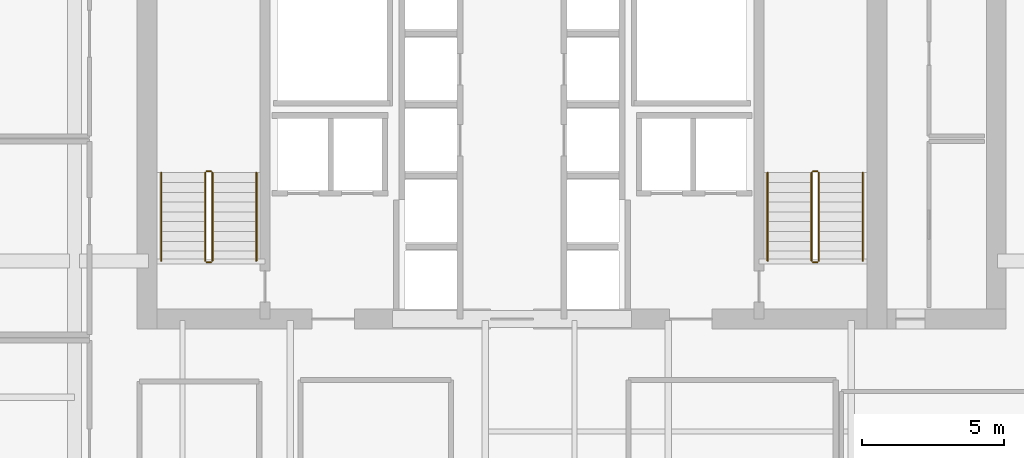
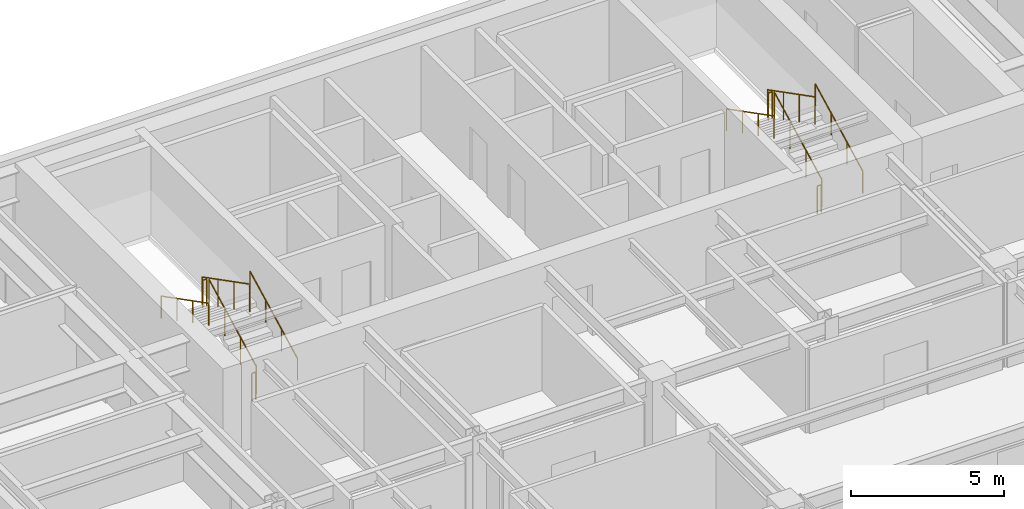
# One storey, part 17 of 17: 12 railings.
"""IFC4 building model written with IfcOpenShell, lengths in metres."""

import ifcopenshell
import ifcopenshell.guid

model = None  # the IFC model being written
_history = None  # IfcOwnerHistory: only IFC2X3 demands one
_inside = {}  # id of a spatial element -> (the spatial element, [elements in it])
_under = {}  # id of a project, library or spatial element -> (it, [spatial elements below it])
_declared = {}  # id of a project -> (the project, [libraries it declares])
_typed = {}  # id of a type object -> (the type object, [elements of that type])
_made_of = {}  # id of a material, layer set ... -> (it, [elements and type objects made of it])


def new_model(schema):
    """Start an empty IFC model of exactly this schema.

    Asked for "IFC4X3", IfcOpenShell would pick the latest addendum, in which some entities
    have other attributes; the version numbers below select the first issue.
    IFC2X3 requires an IfcOwnerHistory on every rooted entity: one is made here for all.
    """
    global model, _history
    if schema == "IFC4X3":
        model = ifcopenshell.file(schema_version=(4, 3, 0, 0))
    else:
        model = ifcopenshell.file(schema=schema)
    _inside.clear()
    _under.clear()
    _declared.clear()
    _typed.clear()
    _made_of.clear()
    _history = None
    if model.schema == "IFC2X3":
        org = make("IfcOrganization", Name="unknown")
        user = make(
            "IfcPersonAndOrganization",
            ThePerson=make("IfcPerson", FamilyName="unknown"),
            TheOrganization=org,
        )
        app = make(
            "IfcApplication",
            ApplicationDeveloper=org,
            Version="unknown",
            ApplicationFullName="unknown",
            ApplicationIdentifier="unknown",
        )
        _history = make(
            "IfcOwnerHistory",
            OwningUser=user,
            OwningApplication=app,
            ChangeAction="ADDED",
            CreationDate=0,
        )
    return model


def make(cls, **values):
    """One entity of the class cls with the attributes given. An attribute that is None is left unset."""
    return model.create_entity(
        cls, **{name: value for name, value in values.items() if value is not None}
    )


def rooted(cls, **values):
    """An entity with a GlobalId (a new one), such as an element, a storey or a relation."""
    return make(cls, GlobalId=ifcopenshell.guid.new(), OwnerHistory=_history, **values)


def si_unit(unit_type, name, prefix=None):
    """IfcSIUnit, for example si_unit("LENGTHUNIT", "METRE", prefix="MILLI")."""
    return make("IfcSIUnit", UnitType=unit_type, Prefix=prefix, Name=name)


def assignment(units):
    """IfcUnitAssignment: the units of a project."""
    return None if units is None else make("IfcUnitAssignment", Units=units)


def point(xyz):
    """IfcCartesianPoint."""
    return None if xyz is None else make("IfcCartesianPoint", Coordinates=xyz)


def direction(xyz):
    """IfcDirection."""
    return None if xyz is None else make("IfcDirection", DirectionRatios=xyz)


def frame(location, z_axis=None, x_axis=None):
    """IfcAxis2Placement3D, a coordinate frame: its origin and axes. An axis left out is left unset."""
    return make(
        "IfcAxis2Placement3D",
        Location=point(location),
        Axis=direction(z_axis),
        RefDirection=direction(x_axis),
    )


def frame_2d(location, x_axis=None):
    """IfcAxis2Placement2D, a coordinate frame in the plane: its origin and x axis."""
    return make(
        "IfcAxis2Placement2D", Location=point(location), RefDirection=direction(x_axis)
    )


def origin():
    """The frame at (0, 0, 0) with its axes left unset."""
    return frame((0.0, 0.0, 0.0))


def origin_2d():
    """The frame at (0, 0) in the plane with its x axis left unset."""
    return frame_2d((0.0, 0.0))


def place(relative_to, where):
    """IfcLocalPlacement: puts the frame where relative to a parent placement (None: the world)."""
    return make(
        "IfcLocalPlacement", PlacementRelTo=relative_to, RelativePlacement=where
    )


def context(
    kind, dimensions, precision=None, world=None, true_north=None, identifier=None
):
    """IfcGeometricRepresentationContext, for example the 3D "Model" context."""
    return make(
        "IfcGeometricRepresentationContext",
        ContextIdentifier=identifier,
        ContextType=kind,
        CoordinateSpaceDimension=dimensions,
        Precision=precision,
        WorldCoordinateSystem=world,
        TrueNorth=true_north,
    )


def subcontext(parent, identifier, kind, view, scale=None):
    """IfcGeometricRepresentationSubContext, for example "Body" below "Model"."""
    return make(
        "IfcGeometricRepresentationSubContext",
        ContextIdentifier=identifier,
        ContextType=kind,
        ParentContext=parent,
        TargetScale=scale,
        TargetView=view,
    )


def project(units=None, contexts=None):
    """IfcProject with its units and contexts."""
    return rooted(
        "IfcProject",
        Name="project",
        RepresentationContexts=contexts,
        UnitsInContext=assignment(units),
    )


def spatial(cls, under=None, at=None, **own):
    """A site, building, storey or space (cls), placed at a placement, below another one or the project."""
    s = rooted(cls, ObjectPlacement=at, **own)
    if under is not None:
        _under.setdefault(under.id(), (under, []))[1].append(s)
    return s


def profile(cls, at=None, kind="AREA", **sizes):
    """A parametric profile (cls). Its sizes go by their IFC names, for example OverallWidth=200.0."""
    return make(cls, ProfileType=kind, Position=at, **sizes)


def circle(**sizes):
    """IfcCircleProfileDef."""
    return profile("IfcCircleProfileDef", **sizes)


def extrude(swept, where, along, depth):
    """IfcExtrudedAreaSolid: the profile swept, set in the frame where, extruded along a direction by depth."""
    return make(
        "IfcExtrudedAreaSolid",
        SweptArea=swept,
        Position=where,
        ExtrudedDirection=direction(along),
        Depth=depth,
    )


def shape(context_of_items, identifier, shape_type, items):
    """IfcShapeRepresentation: the items that make up one representation, for example the "Body"."""
    return make(
        "IfcShapeRepresentation",
        ContextOfItems=context_of_items,
        RepresentationIdentifier=identifier,
        RepresentationType=shape_type,
        Items=items,
    )


def material(Name=None, Category=None):
    """IfcMaterial."""
    return make("IfcMaterial", Name=Name, Category=Category)


def made_of(thing, what):
    """Note that an element or type object is made of a material, layer set ...; save() writes the relation."""
    if what is not None:
        _made_of.setdefault(what.id(), (what, []))[1].append(thing)
    return thing


def type_object(cls, material=None, **own):
    """A type object (cls), such as IfcWallType, which elements share."""
    return made_of(rooted(cls, **own), material)


def element(
    cls,
    number,
    at=None,
    inside=None,
    cuts=None,
    type_object=None,
    material=None,
    context=None,
    identifier="Body",
    shape_type=None,
    held_by="IfcProductDefinitionShape",
    body=None,
    shapes=None,
    **own,
):
    """One element of the class cls, such as IfcWall. Its Tag is "e" and its number.

    at: its placement. inside: the storey or other place that contains it. cuts: it is an
    opening in that element (IfcRelVoidsElement). A single representation is given by context,
    identifier, shape_type and body (its items); several are given by shapes. held_by: the class
    of the entity that holds the representations. save() writes the other relations.
    """
    e = rooted(cls, Tag="e%d" % number, ObjectPlacement=at, **own)
    if body is not None:
        shapes = [shape(context, identifier, shape_type, body)]
    if shapes is not None:
        e.Representation = make(held_by, Representations=shapes)
    if inside is not None:
        _inside.setdefault(inside.id(), (inside, []))[1].append(e)
    if cuts is not None:
        rooted(
            "IfcRelVoidsElement", RelatingBuildingElement=cuts, RelatedOpeningElement=e
        )
    if type_object is not None:
        _typed.setdefault(type_object.id(), (type_object, []))[1].append(e)
    return made_of(e, material)


def aggregate(whole, parts):
    """IfcRelAggregates: a whole, such as a stair, and the parts it consists of."""
    return rooted("IfcRelAggregates", RelatingObject=whole, RelatedObjects=parts)


def save(model, path):
    """Write the relations noted so far, then the file.

    IfcRelAggregates (storeys below a building ...), IfcRelContainedInSpatialStructure (elements
    in a storey), IfcRelDefinesByType, IfcRelAssociatesMaterial and IfcRelDeclares: one each for
    every whole, place, type object, material and project.
    """
    for whole, parts in _under.values():
        aggregate(whole, parts)
    for where, things in _inside.values():
        rooted(
            "IfcRelContainedInSpatialStructure",
            RelatedElements=things,
            RelatingStructure=where,
        )
    for kind, things in _typed.values():
        rooted("IfcRelDefinesByType", RelatedObjects=things, RelatingType=kind)
    for what, things in _made_of.values():
        rooted("IfcRelAssociatesMaterial", RelatedObjects=things, RelatingMaterial=what)
    for by, libraries in _declared.values():
        rooted("IfcRelDeclares", RelatingContext=by, RelatedDefinitions=libraries)
    model.write(path)


model = new_model("IFC4")

# Units and contexts
model_context = context("Model", 3, precision=1e-05, world=origin(), true_north=direction((0.0, 1.0)))
body_context = subcontext(model_context, "Body", "Model", "MODEL_VIEW")
ifc_project = project(units=[si_unit("LENGTHUNIT", "METRE"), si_unit("AREAUNIT", "SQUARE_METRE"), si_unit("VOLUMEUNIT", "CUBIC_METRE"), si_unit("PLANEANGLEUNIT", "RADIAN"), si_unit("MASSUNIT", "GRAM", prefix="KILO")], contexts=[model_context])

# Site, building, storey
site_placement = place(None, origin())
site = spatial("IfcSite", under=ifc_project, at=site_placement, CompositionType="ELEMENT")
building_placement = place(site_placement, origin())
building = spatial("IfcBuilding", under=site, at=building_placement, Name="Tolvann Quenvar Hotel", CompositionType="ELEMENT")
storey_placement = place(building_placement, frame((0.0, 0.0, 108.0)))
storey = spatial("IfcBuildingStorey", under=building, at=storey_placement, Name="L27", CompositionType="ELEMENT", Elevation=108.0)

# Railings
ifc_material = material(Name="Brushed 316 stainless steel balustrade and handrail", Category="steel")
railing_type_1 = type_object("IfcRailingType", Name="GUARDRAIL", PredefinedType="GUARDRAIL", material=ifc_material)
railing_1_placement = place(storey_placement, frame((12.449951171875, 34.0, 0.177490234375)))
element("IfcRailing", 1, at=railing_1_placement, inside=storey, type_object=railing_type_1, Name="L27 ST-C1 stair guard 1", PredefinedType="GUARDRAIL", context=body_context, shape_type="SweptSolid", body=[
    extrude(circle(Radius=0.02392578125, at=origin_2d()), frame((0.0, 0.0, 1.09619140625), z_axis=(0.0, 0.889221982265, 0.45747597342), x_axis=(-1.0, 0.0, 0.0)), (0.0, 0.0, 1.0), 3.49169921875),
    extrude(circle(Radius=0.02099609375, at=origin_2d()), origin(), (0.0, 0.0, 1.0), 1.072021484375),
    extrude(circle(Radius=0.02099609375, at=origin_2d()), frame((0.0, 1.034912109375, 0.532470703125)), (0.0, 0.0, 1.0), 1.072021484375),
    extrude(circle(Radius=0.02099609375, at=origin_2d()), frame((0.0, 2.070068359375, 1.06494140625)), (0.0, 0.0, 1.0), 1.072021484375),
    extrude(circle(Radius=0.02099609375, at=origin_2d()), frame((0.0, 3.10498046875, 1.597412109375)), (0.0, 0.0, 1.0), 1.072021484375),
])
railing_2_placement = place(storey_placement, frame((12.39990234375, 37.155029296875, 1.77490234375)))
element("IfcRailing", 2, at=railing_2_placement, inside=storey, type_object=railing_type_1, Name="L27 ST-C1 stair guard 2", PredefinedType="GUARDRAIL", context=body_context, shape_type="SweptSolid", body=[
    extrude(circle(Radius=0.02392578125, at=origin_2d()), frame((0.0, 0.0, 1.09619140625), z_axis=(-1.0, 0.0, 0.0), x_axis=(0.0, -1.0, 0.0)), (0.0, 0.0, 1.0), 0.14990234375),
    extrude(circle(Radius=0.02099609375, at=origin_2d()), origin(), (0.0, 0.0, 1.0), 1.072021484375),
    extrude(circle(Radius=0.02099609375, at=origin_2d()), frame((-0.14990234375, 0.0, 0.0)), (0.0, 0.0, 1.0), 1.072021484375),
])
railing_3_placement = place(storey_placement, frame((12.199951171875, 37.10498046875, 1.952392578125)))
element("IfcRailing", 3, at=railing_3_placement, inside=storey, type_object=railing_type_1, Name="L27 ST-C1 stair guard 3", PredefinedType="GUARDRAIL", context=body_context, shape_type="SweptSolid", body=[
    extrude(circle(Radius=0.02392578125, at=origin_2d()), frame((0.0, 0.0, 1.09619140625), z_axis=(0.0, -0.88919353882, 0.457531256332), x_axis=(1.0, 0.0, 0.0)), (0.0, 0.0, 1.0), 3.491943359375),
    extrude(circle(Radius=0.02099609375, at=origin_2d()), origin(), (0.0, 0.0, 1.0), 1.072021484375),
    extrude(circle(Radius=0.02099609375, at=origin_2d()), frame((0.0, -1.034912109375, 0.532470703125)), (0.0, 0.0, 1.0), 1.072021484375),
    extrude(circle(Radius=0.02099609375, at=origin_2d()), frame((0.0, -2.070068359375, 1.065185546875)), (0.0, 0.0, 1.0), 1.072021484375),
    extrude(circle(Radius=0.02099609375, at=origin_2d()), frame((0.0, -3.10498046875, 1.59765625)), (0.0, 0.0, 1.0), 1.072021484375),
])
railing_4_placement = place(storey_placement, frame((12.39990234375, 33.949951171875, 0.0)))
element("IfcRailing", 4, at=railing_4_placement, inside=storey, type_object=railing_type_1, Name="L27 ST-C1 stair guard 4", PredefinedType="GUARDRAIL", context=body_context, shape_type="SweptSolid", body=[
    extrude(circle(Radius=0.02392578125, at=origin_2d()), frame((0.0, 0.0, 1.09619140625), z_axis=(-1.0, 0.0, 0.0), x_axis=(0.0, -1.0, 0.0)), (0.0, 0.0, 1.0), 0.14990234375),
    extrude(circle(Radius=0.02099609375, at=origin_2d()), origin(), (0.0, 0.0, 1.0), 1.072021484375),
    extrude(circle(Radius=0.02099609375, at=origin_2d()), frame((-0.14990234375, 0.0, 0.0)), (0.0, 0.0, 1.0), 1.072021484375),
])
railing_5_placement = place(storey_placement, frame((33.800048828125, 34.0, 0.177490234375)))
element("IfcRailing", 5, at=railing_5_placement, inside=storey, type_object=railing_type_1, Name="L27 ST-C2 stair guard 1", PredefinedType="GUARDRAIL", context=body_context, shape_type="SweptSolid", body=[
    extrude(circle(Radius=0.02392578125, at=origin_2d()), frame((0.0, 0.0, 1.09619140625), z_axis=(0.0, 0.889221982265, 0.45747597342), x_axis=(-1.0, 0.0, 0.0)), (0.0, 0.0, 1.0), 3.49169921875),
    extrude(circle(Radius=0.02099609375, at=origin_2d()), origin(), (0.0, 0.0, 1.0), 1.072021484375),
    extrude(circle(Radius=0.02099609375, at=origin_2d()), frame((0.0, 1.034912109375, 0.532470703125)), (0.0, 0.0, 1.0), 1.072021484375),
    extrude(circle(Radius=0.02099609375, at=origin_2d()), frame((0.0, 2.070068359375, 1.06494140625)), (0.0, 0.0, 1.0), 1.072021484375),
    extrude(circle(Radius=0.02099609375, at=origin_2d()), frame((0.0, 3.10498046875, 1.597412109375)), (0.0, 0.0, 1.0), 1.072021484375),
])
railing_6_placement = place(storey_placement, frame((33.75, 37.155029296875, 1.77490234375)))
element("IfcRailing", 6, at=railing_6_placement, inside=storey, type_object=railing_type_1, Name="L27 ST-C2 stair guard 2", PredefinedType="GUARDRAIL", context=body_context, shape_type="SweptSolid", body=[
    extrude(circle(Radius=0.02392578125, at=origin_2d()), frame((0.0, 0.0, 1.09619140625), z_axis=(-1.0, 0.0, 0.0), x_axis=(0.0, -1.0, 0.0)), (0.0, 0.0, 1.0), 0.14990234375),
    extrude(circle(Radius=0.02099609375, at=origin_2d()), origin(), (0.0, 0.0, 1.0), 1.072021484375),
    extrude(circle(Radius=0.02099609375, at=origin_2d()), frame((-0.14990234375, 0.0, 0.0)), (0.0, 0.0, 1.0), 1.072021484375),
])
railing_7_placement = place(storey_placement, frame((33.550048828125, 37.10498046875, 1.952392578125)))
element("IfcRailing", 7, at=railing_7_placement, inside=storey, type_object=railing_type_1, Name="L27 ST-C2 stair guard 3", PredefinedType="GUARDRAIL", context=body_context, shape_type="SweptSolid", body=[
    extrude(circle(Radius=0.02392578125, at=origin_2d()), frame((0.0, 0.0, 1.09619140625), z_axis=(0.0, -0.88919353882, 0.457531256332), x_axis=(1.0, 0.0, 0.0)), (0.0, 0.0, 1.0), 3.491943359375),
    extrude(circle(Radius=0.02099609375, at=origin_2d()), origin(), (0.0, 0.0, 1.0), 1.072021484375),
    extrude(circle(Radius=0.02099609375, at=origin_2d()), frame((0.0, -1.034912109375, 0.532470703125)), (0.0, 0.0, 1.0), 1.072021484375),
    extrude(circle(Radius=0.02099609375, at=origin_2d()), frame((0.0, -2.070068359375, 1.065185546875)), (0.0, 0.0, 1.0), 1.072021484375),
    extrude(circle(Radius=0.02099609375, at=origin_2d()), frame((0.0, -3.10498046875, 1.59765625)), (0.0, 0.0, 1.0), 1.072021484375),
])
railing_8_placement = place(storey_placement, frame((33.75, 33.949951171875, 0.0)))
element("IfcRailing", 8, at=railing_8_placement, inside=storey, type_object=railing_type_1, Name="L27 ST-C2 stair guard 4", PredefinedType="GUARDRAIL", context=body_context, shape_type="SweptSolid", body=[
    extrude(circle(Radius=0.02392578125, at=origin_2d()), frame((0.0, 0.0, 1.09619140625), z_axis=(-1.0, 0.0, 0.0), x_axis=(0.0, -1.0, 0.0)), (0.0, 0.0, 1.0), 0.14990234375),
    extrude(circle(Radius=0.02099609375, at=origin_2d()), origin(), (0.0, 0.0, 1.0), 1.072021484375),
    extrude(circle(Radius=0.02099609375, at=origin_2d()), frame((-0.14990234375, 0.0, 0.0)), (0.0, 0.0, 1.0), 1.072021484375),
])
railing_type_2 = type_object("IfcRailingType", Name="HANDRAIL", PredefinedType="HANDRAIL", material=ifc_material)
railing_9_placement = place(storey_placement, frame((14.0, 34.0, 0.177490234375)))
element("IfcRailing", 9, at=railing_9_placement, inside=storey, type_object=railing_type_2, Name="L27 ST-C1 stair handrail 1", PredefinedType="HANDRAIL", context=body_context, shape_type="SweptSolid", body=[
    extrude(circle(Radius=0.02392578125, at=origin_2d()), frame((0.0, 0.0, 0.8759765625), z_axis=(0.0, 0.889221982265, 0.45747597342), x_axis=(-1.0, 0.0, 0.0)), (0.0, 0.0, 1.0), 3.49169921875),
    extrude(circle(Radius=0.02099609375, at=origin_2d()), origin(), (0.0, 0.0, 1.0), 0.851806640625),
    extrude(circle(Radius=0.02099609375, at=origin_2d()), frame((0.0, 1.034912109375, 0.532470703125)), (0.0, 0.0, 1.0), 0.851806640625),
    extrude(circle(Radius=0.02099609375, at=origin_2d()), frame((0.0, 2.070068359375, 1.06494140625)), (0.0, 0.0, 1.0), 0.851806640625),
    extrude(circle(Radius=0.02099609375, at=origin_2d()), frame((0.0, 3.10498046875, 1.597412109375)), (0.0, 0.0, 1.0), 0.851806640625),
])
railing_10_placement = place(storey_placement, frame((10.64990234375, 37.10498046875, 1.952392578125)))
element("IfcRailing", 10, at=railing_10_placement, inside=storey, type_object=railing_type_2, Name="L27 ST-C1 stair handrail 2", PredefinedType="HANDRAIL", context=body_context, shape_type="SweptSolid", body=[
    extrude(circle(Radius=0.02392578125, at=origin_2d()), frame((0.0, 0.0, 0.8759765625), z_axis=(0.0, -0.88919353882, 0.457531256332), x_axis=(1.0, 0.0, 0.0)), (0.0, 0.0, 1.0), 3.491943359375),
    extrude(circle(Radius=0.02099609375, at=origin_2d()), origin(), (0.0, 0.0, 1.0), 0.851806640625),
    extrude(circle(Radius=0.02099609375, at=origin_2d()), frame((0.0, -1.034912109375, 0.532470703125)), (0.0, 0.0, 1.0), 0.851806640625),
    extrude(circle(Radius=0.02099609375, at=origin_2d()), frame((0.0, -2.070068359375, 1.065185546875)), (0.0, 0.0, 1.0), 0.851806640625),
    extrude(circle(Radius=0.02099609375, at=origin_2d()), frame((0.0, -3.10498046875, 1.59765625)), (0.0, 0.0, 1.0), 0.851806640625),
])
railing_11_placement = place(storey_placement, frame((35.35009765625, 34.0, 0.177490234375)))
element("IfcRailing", 11, at=railing_11_placement, inside=storey, type_object=railing_type_2, Name="L27 ST-C2 stair handrail 1", PredefinedType="HANDRAIL", context=body_context, shape_type="SweptSolid", body=[
    extrude(circle(Radius=0.02392578125, at=origin_2d()), frame((0.0, 0.0, 0.8759765625), z_axis=(0.0, 0.889221982265, 0.45747597342), x_axis=(-1.0, 0.0, 0.0)), (0.0, 0.0, 1.0), 3.49169921875),
    extrude(circle(Radius=0.02099609375, at=origin_2d()), origin(), (0.0, 0.0, 1.0), 0.851806640625),
    extrude(circle(Radius=0.02099609375, at=origin_2d()), frame((0.0, 1.034912109375, 0.532470703125)), (0.0, 0.0, 1.0), 0.851806640625),
    extrude(circle(Radius=0.02099609375, at=origin_2d()), frame((0.0, 2.070068359375, 1.06494140625)), (0.0, 0.0, 1.0), 0.851806640625),
    extrude(circle(Radius=0.02099609375, at=origin_2d()), frame((0.0, 3.10498046875, 1.597412109375)), (0.0, 0.0, 1.0), 0.851806640625),
])
railing_12_placement = place(storey_placement, frame((32.0, 37.10498046875, 1.952392578125)))
element("IfcRailing", 12, at=railing_12_placement, inside=storey, type_object=railing_type_2, Name="L27 ST-C2 stair handrail 2", PredefinedType="HANDRAIL", context=body_context, shape_type="SweptSolid", body=[
    extrude(circle(Radius=0.02392578125, at=origin_2d()), frame((0.0, 0.0, 0.8759765625), z_axis=(0.0, -0.88919353882, 0.457531256332), x_axis=(1.0, 0.0, 0.0)), (0.0, 0.0, 1.0), 3.491943359375),
    extrude(circle(Radius=0.02099609375, at=origin_2d()), origin(), (0.0, 0.0, 1.0), 0.851806640625),
    extrude(circle(Radius=0.02099609375, at=origin_2d()), frame((0.0, -1.034912109375, 0.532470703125)), (0.0, 0.0, 1.0), 0.851806640625),
    extrude(circle(Radius=0.02099609375, at=origin_2d()), frame((0.0, -2.070068359375, 1.065185546875)), (0.0, 0.0, 1.0), 0.851806640625),
    extrude(circle(Radius=0.02099609375, at=origin_2d()), frame((0.0, -3.10498046875, 1.59765625)), (0.0, 0.0, 1.0), 0.851806640625),
])

save(model, "model.ifc")
